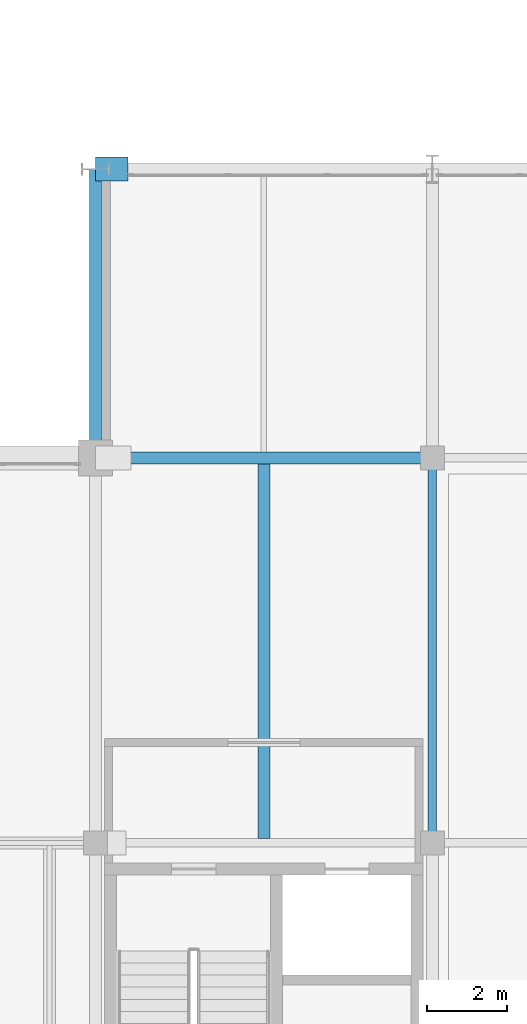
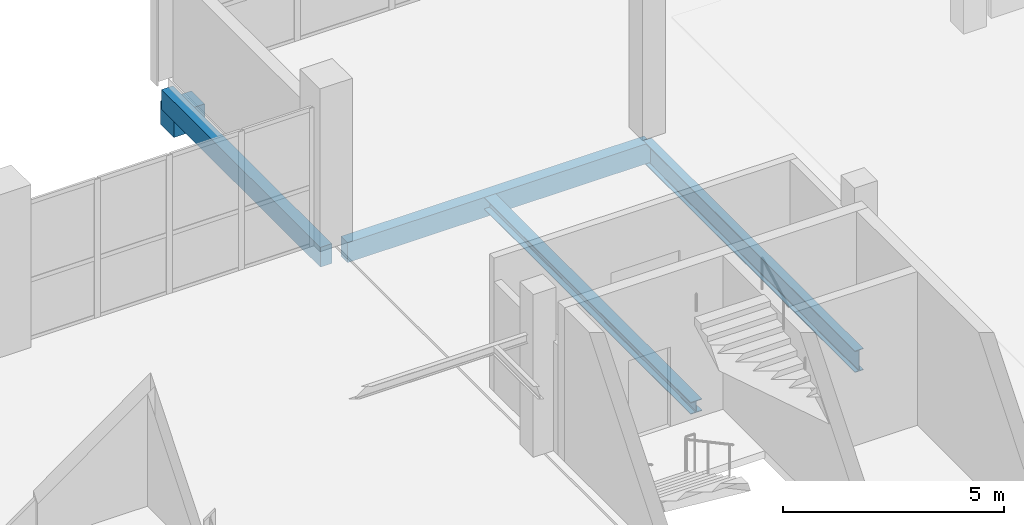
# One storey, part 38 of 113: 5 beams.
"""IFC4 building model written with IfcOpenShell, lengths in metres."""

from ifc_helpers import new_model, si_unit, direction, frame, origin, origin_2d, place, context, subcontext, project, spatial, rectangle, i_section, extrude, material, material_profile, profile_set, type_object, element, save


model = new_model("IFC4")

# Units and contexts
model_context = context("Model", 3, precision=1e-05, world=origin(), true_north=direction((0.0, 1.0)))
body_context = subcontext(model_context, "Body", "Model", "MODEL_VIEW")
ifc_project = project(units=[si_unit("LENGTHUNIT", "METRE"), si_unit("AREAUNIT", "SQUARE_METRE"), si_unit("VOLUMEUNIT", "CUBIC_METRE"), si_unit("PLANEANGLEUNIT", "RADIAN"), si_unit("MASSUNIT", "GRAM", prefix="KILO")], contexts=[model_context])

# Site, building, storey
site_placement = place(None, origin())
site = spatial("IfcSite", under=ifc_project, at=site_placement, CompositionType="ELEMENT")
building_placement = place(site_placement, origin())
building = spatial("IfcBuilding", under=site, at=building_placement, Name="Veltarok Museum of Natural Sciences", CompositionType="ELEMENT")
storey_placement = place(building_placement, frame((0.0, 0.0, 8.39990234375)))
storey = spatial("IfcBuildingStorey", under=building, at=storey_placement, Name="L01", CompositionType="ELEMENT", Elevation=8.39990234375)

# Beams
ifc_material_1 = material(Name="Precast concrete C40/50", Category="concrete")
ifc_material_profile_1 = material_profile(ifc_material_1, rectangle(XDim=0.300048828125, YDim=0.550048828125, at=origin_2d()), Name="RC 300x550")
ifc_profile_set_1 = profile_set([ifc_material_profile_1], Name="Precast concrete C40/50")
beam_type_1 = type_object("IfcBeamType", Name="East Wing Precast Spandrel RC 300x550", PredefinedType="SPANDREL", material=ifc_profile_set_1)
beam_1_placement = place(storey_placement, frame((107.675048828125, 19.199951171875, -0.52490234375), z_axis=(1.0, 0.0, 0.0), x_axis=(0.0, 1.0, 0.0)))
element("IfcBeam", 1, at=beam_1_placement, inside=storey, type_object=beam_type_1, Name="Beam BM-SP02 L01 13-14/C", PredefinedType="SPANDREL", context=body_context, shape_type="SweptSolid", body=[
    extrude(rectangle(XDim=0.300048828125, YDim=0.550048828125, at=origin_2d()), origin(), (0.0, 0.0, 1.0), 7.925048828125),
])
beam_2_placement = place(storey_placement, frame((107.199951171875, 19.199951171875, -0.52490234375), z_axis=(0.0, 1.0, 0.0), x_axis=(-1.0, 0.0, 0.0)))
element("IfcBeam", 2, at=beam_2_placement, inside=storey, type_object=beam_type_1, Name="Beam BM-SP02 L01 13/C-D", PredefinedType="SPANDREL", context=body_context, shape_type="SweptSolid", body=[
    extrude(rectangle(XDim=0.300048828125, YDim=0.550048828125, at=origin_2d()), origin(), (0.0, 0.0, 1.0), 7.199951171875),
])
ifc_material_2 = material(Name="Steel S355J2", Category="steel")
ifc_material_profile_2 = material_profile(ifc_material_2, i_section(OverallWidth=0.300048828125, OverallDepth=0.330078125, WebThickness=0.009521484375, FlangeThickness=0.0166015625, FilletRadius=0.027099609375, at=origin_2d()), Name="HEA 340")
ifc_profile_set_2 = profile_set([ifc_material_profile_2], Name="Steel S355J2")
beam_type_2 = type_object("IfcBeamType", Name="Exhibition Floor Joist HEA 340", PredefinedType="JOIST", material=ifc_profile_set_2)
beam_3_placement = place(storey_placement, frame((111.39990234375, 9.702880859375, -0.414794921875), z_axis=(0.0, 1.0, 0.0), x_axis=(-1.0, 0.0, 0.0)))
element("IfcBeam", 3, at=beam_3_placement, inside=storey, type_object=beam_type_2, Name="Secondary Joist BM-J08 L01 13-14/B-C.1", PredefinedType="JOIST", context=body_context, shape_type="SweptSolid", body=[
    extrude(i_section(OverallWidth=0.300048828125, OverallDepth=0.330078125, WebThickness=0.009521484375, FlangeThickness=0.0166015625, FilletRadius=0.027099609375, at=origin_2d()), origin(), (0.0, 0.0, 1.0), 9.34912109375),
])
ifc_material_3 = material(Name="Concrete C40/50", Category="concrete")
ifc_material_profile_3 = material_profile(ifc_material_3, rectangle(XDim=0.60009765625, YDim=0.64990234375, at=origin_2d()), Name="RC 600x650")
ifc_profile_set_3 = profile_set([ifc_material_profile_3], Name="Concrete C40/50")
beam_type_3 = type_object("IfcBeamType", Name="Movement Joint Sliding Corbel RC 600x650", PredefinedType="BEAM", material=ifc_profile_set_3)
beam_4_placement = place(storey_placement, frame((107.199951171875, 26.39990234375, -1.125), z_axis=(1.0, 0.0, 0.0), x_axis=(0.0, 1.0, 0.0)))
element("IfcBeam", 4, at=beam_4_placement, inside=storey, type_object=beam_type_3, Name="Movement Joint Corbel L01 13/D", PredefinedType="BEAM", context=body_context, shape_type="SweptSolid", body=[
    extrude(rectangle(XDim=0.60009765625, YDim=0.64990234375, at=origin_2d()), origin(), (0.0, 0.0, 1.0), 0.81005859375),
])
ifc_material_profile_4 = material_profile(ifc_material_2, i_section(OverallWidth=0.219970703125, OverallDepth=0.60009765625, WebThickness=0.011962890625, FlangeThickness=0.01904296875, FilletRadius=0.02392578125, at=origin_2d()), Name="IPE 600")
ifc_profile_set_4 = profile_set([ifc_material_profile_4], Name="Steel S355J2")
beam_type_4 = type_object("IfcBeamType", Name="Primary Museum Girder IPE 600", PredefinedType="BEAM", material=ifc_profile_set_4)
beam_5_placement = place(storey_placement, frame((115.60009765625, 9.60009765625, -0.5498046875), z_axis=(0.0, 1.0, 0.0), x_axis=(-1.0, 0.0, 0.0)))
element("IfcBeam", 5, at=beam_5_placement, inside=storey, type_object=beam_type_4, Name="Beam BM-G02 L01 14/B-C", PredefinedType="BEAM", context=body_context, shape_type="SweptSolid", body=[
    extrude(i_section(OverallWidth=0.219970703125, OverallDepth=0.60009765625, WebThickness=0.011962890625, FlangeThickness=0.01904296875, FilletRadius=0.02392578125, at=origin_2d()), origin(), (0.0, 0.0, 1.0), 9.599853515625),
])

save(model, "model.ifc")
